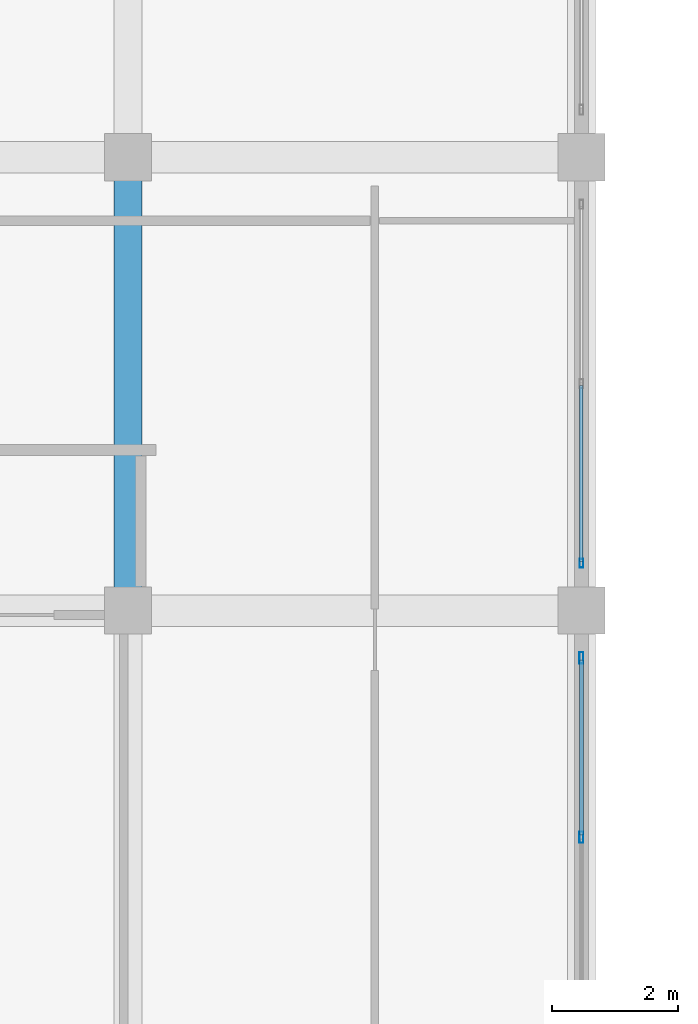
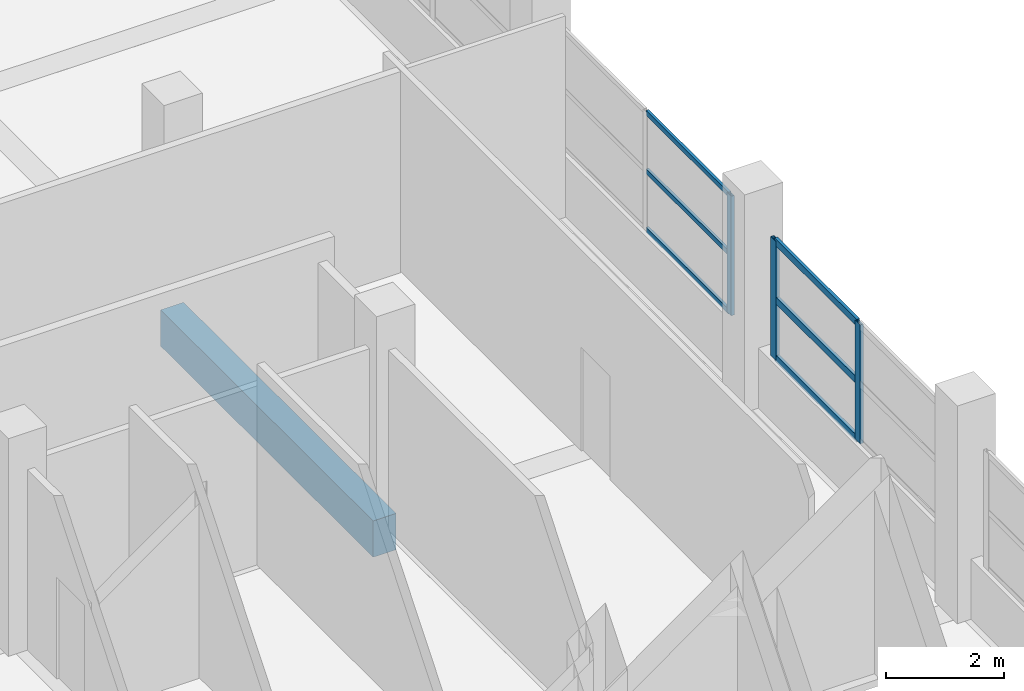
# One storey, part 22 of 141: 9 members, 1 beam, 2 elements without a shape of their own.
"""IFC4 building model written with IfcOpenShell, lengths in metres."""

from ifc_helpers import new_model, si_unit, direction, frame, origin, origin_2d, place, context, subcontext, project, spatial, rectangle, hollow_rectangle, extrude, material, layer, layer_set, material_profile, profile_set, type_object, element, aggregate, save


model = new_model("IFC4")

# Units and contexts
model_context = context("Model", 3, precision=1e-05, world=origin(), true_north=direction((0.0, 1.0)))
body_context = subcontext(model_context, "Body", "Model", "MODEL_VIEW")
ifc_project = project(units=[si_unit("LENGTHUNIT", "METRE"), si_unit("AREAUNIT", "SQUARE_METRE"), si_unit("VOLUMEUNIT", "CUBIC_METRE"), si_unit("PLANEANGLEUNIT", "RADIAN"), si_unit("MASSUNIT", "GRAM", prefix="KILO")], contexts=[model_context])

# Site, building, storey
site_placement = place(None, origin())
site = spatial("IfcSite", under=ifc_project, at=site_placement, CompositionType="ELEMENT")
building_placement = place(site_placement, origin())
building = spatial("IfcBuilding", under=site, at=building_placement, Name="Seraya Terrace Polytechnic", CompositionType="ELEMENT")
storey_placement = place(building_placement, frame((0.0, 0.0, 14.39990234375)))
storey = spatial("IfcBuildingStorey", under=building, at=storey_placement, Name="L03", CompositionType="ELEMENT", Elevation=14.39990234375)

# Beam
ifc_material_1 = material(Name="Concrete C40/50", Category="concrete")
ifc_material_profile_1 = material_profile(ifc_material_1, rectangle(XDim=0.449951171875, YDim=0.75, at=origin_2d()), Name="RC 450x750")
ifc_profile_set_1 = profile_set([ifc_material_profile_1], Name="Concrete C40/50")
beam_type = type_object("IfcBeamType", Name="BM-08", PredefinedType="BEAM", material=ifc_profile_set_1)
beam_placement = place(storey_placement, frame((36.0, 50.39990234375, -0.375), z_axis=(0.0, 1.0, 0.0), x_axis=(-1.0, 0.0, 0.0)))
element("IfcBeam", 1, at=beam_placement, inside=storey, type_object=beam_type, Name="Beam BM-08 L03 Y (36.0, 50.4..57.6)", PredefinedType="BEAM", context=body_context, shape_type="SweptSolid", body=[
    extrude(rectangle(XDim=0.449951171875, YDim=0.75, at=origin_2d()), origin(), (0.0, 0.0, 1.0), 7.2001953125),
])

# Curtain wall, members
ifc_material_2 = material(Name="Anodised aluminium EN AW-6063 T6", Category="aluminium")
ifc_layer_1 = layer(ifc_material_2, 0.179931640625, Name="CW-04")
ifc_layer_set_1 = layer_set([ifc_layer_1], Name="Anodised aluminium EN AW-6063 T6")
curtain_wall_type_1 = type_object("IfcCurtainWallType", Name="CW-04", PredefinedType="NOTDEFINED", material=ifc_layer_set_1)
curtain_wall_1_placement = place(storey_placement, origin())
curtain_wall_1 = element("IfcCurtainWall", 2, at=curtain_wall_1_placement, inside=storey, type_object=curtain_wall_type_1, Name="Unitised curtain wall CW-04 (CW-L03-148)", PredefinedType="NOTDEFINED")
ifc_material_profile_2 = material_profile(ifc_material_2, hollow_rectangle(XDim=0.06494140625, YDim=0.179931640625, WallThickness=0.00390625, at=origin_2d()), Name="RHS 180x65x4.0")
ifc_profile_set_2 = profile_set([ifc_material_profile_2], Name="Anodised aluminium EN AW-6063 T6")
member_type_1 = type_object("IfcMemberType", Name="CWM-01", PredefinedType="MULLION", material=ifc_profile_set_2)
member_1_placement = place(storey_placement, frame((43.199951171875, 49.6474609375, 1.239990234375), z_axis=(0.0, 0.0, 1.0), x_axis=(1.0, 0.0, 0.0)))
member_1 = element("IfcMember", 3, at=member_1_placement, type_object=member_type_1, Name="CW-04 mullion 1", PredefinedType="MULLION", context=body_context, shape_type="SweptSolid", body=[
    extrude(hollow_rectangle(XDim=0.06494140625, YDim=0.179931640625, WallThickness=0.00390625, at=origin_2d()), origin(), (0.0, 0.0, 1.0), 2.460205078125),
])
member_2_placement = place(storey_placement, frame((43.199951171875, 46.800048828125, 1.239990234375), z_axis=(0.0, 0.0, 1.0), x_axis=(1.0, 0.0, 0.0)))
member_2 = element("IfcMember", 4, at=member_2_placement, type_object=member_type_1, Name="CW-04 mullion 2", PredefinedType="MULLION", context=body_context, shape_type="SweptSolid", body=[
    extrude(hollow_rectangle(XDim=0.06494140625, YDim=0.179931640625, WallThickness=0.00390625, at=origin_2d()), origin(), (0.0, 0.0, 1.0), 2.460205078125),
])

# Curtain wall, member
ifc_layer_2 = layer(ifc_material_2, 0.179931640625, Name="CW-03")
ifc_layer_set_2 = layer_set([ifc_layer_2], Name="Anodised aluminium EN AW-6063 T6")
curtain_wall_type_2 = type_object("IfcCurtainWallType", Name="CW-03", PredefinedType="NOTDEFINED", material=ifc_layer_set_2)
curtain_wall_2_placement = place(storey_placement, origin())
curtain_wall_2 = element("IfcCurtainWall", 5, at=curtain_wall_2_placement, inside=storey, type_object=curtain_wall_type_2, Name="Unitised curtain wall CW-03 (CW-L03-147)", PredefinedType="NOTDEFINED")
ifc_material_profile_3 = material_profile(ifc_material_2, hollow_rectangle(XDim=0.06005859375, YDim=0.139892578125, WallThickness=0.00341796875, at=origin_2d()), Name="RHS 140x60x3.5")
ifc_profile_set_3 = profile_set([ifc_material_profile_3], Name="Anodised aluminium EN AW-6063 T6")
member_type_2 = type_object("IfcMemberType", Name="CWM-03", PredefinedType="MULLION", material=ifc_profile_set_3)
member_3_placement = place(storey_placement, frame((43.199951171875, 51.14990234375, 1.239990234375), z_axis=(0.0, 0.0, 1.0), x_axis=(1.0, 0.0, 0.0)))
member_3 = element("IfcMember", 6, at=member_3_placement, type_object=member_type_2, Name="CW-03 mullion 3", PredefinedType="MULLION", context=body_context, shape_type="SweptSolid", body=[
    extrude(hollow_rectangle(XDim=0.06005859375, YDim=0.139892578125, WallThickness=0.00341796875, at=origin_2d()), origin(), (0.0, 0.0, 1.0), 2.47021484375),
])

# Member
ifc_material_profile_4 = material_profile(ifc_material_2, hollow_rectangle(XDim=0.06005859375, YDim=0.139892578125, WallThickness=0.00341796875, at=origin_2d()), Name="RHS 140x60x3.5")
ifc_profile_set_4 = profile_set([ifc_material_profile_4], Name="Anodised aluminium EN AW-6063 T6")
member_type_3 = type_object("IfcMemberType", Name="CWT-01", PredefinedType="USERDEFINED", material=ifc_profile_set_4)
member_4_placement = place(storey_placement, frame((43.199951171875, 49.614990234375, 1.27001953125), z_axis=(0.0, -1.0, 0.0), x_axis=(1.0, 0.0, 0.0)))
member_4 = element("IfcMember", 7, at=member_4_placement, type_object=member_type_3, Name="CW-04 transom 1.1", ObjectType="TRANSOM", PredefinedType="USERDEFINED", context=body_context, shape_type="SweptSolid", body=[
    extrude(hollow_rectangle(XDim=0.06005859375, YDim=0.139892578125, WallThickness=0.00341796875, at=origin_2d()), origin(), (0.0, 0.0, 1.0), 2.782470703125),
])

member_5_placement = place(storey_placement, frame((43.199951171875, 49.614990234375, 2.47021484375), z_axis=(0.0, -1.0, 0.0), x_axis=(1.0, 0.0, 0.0)))
member_5 = element("IfcMember", 8, at=member_5_placement, type_object=member_type_3, Name="CW-04 transom 1.2", ObjectType="TRANSOM", PredefinedType="USERDEFINED", context=body_context, shape_type="SweptSolid", body=[
    extrude(hollow_rectangle(XDim=0.06005859375, YDim=0.139892578125, WallThickness=0.00341796875, at=origin_2d()), origin(), (0.0, 0.0, 1.0), 2.782470703125),
])

member_6_placement = place(storey_placement, frame((43.199951171875, 49.614990234375, 3.670166015625), z_axis=(0.0, -1.0, 0.0), x_axis=(1.0, 0.0, 0.0)))
member_6 = element("IfcMember", 9, at=member_6_placement, type_object=member_type_3, Name="CW-04 transom 1.3", ObjectType="TRANSOM", PredefinedType="USERDEFINED", context=body_context, shape_type="SweptSolid", body=[
    extrude(hollow_rectangle(XDim=0.06005859375, YDim=0.139892578125, WallThickness=0.00341796875, at=origin_2d()), origin(), (0.0, 0.0, 1.0), 2.782470703125),
])

aggregate(curtain_wall_1, [member_1, member_2, member_4, member_5, member_6])

ifc_material_profile_5 = material_profile(ifc_material_2, hollow_rectangle(XDim=0.054931640625, YDim=0.10009765625, WallThickness=0.0029296875, at=origin_2d()), Name="RHS 100x55x3.0")
ifc_profile_set_5 = profile_set([ifc_material_profile_5], Name="Anodised aluminium EN AW-6063 T6")
member_type_4 = type_object("IfcMemberType", Name="CWT-03", PredefinedType="USERDEFINED", material=ifc_profile_set_5)
member_7_placement = place(storey_placement, frame((43.199951171875, 53.969970703125, 1.267578125), z_axis=(0.0, -1.0, 0.0), x_axis=(1.0, 0.0, 0.0)))
member_7 = element("IfcMember", 10, at=member_7_placement, type_object=member_type_4, Name="CW-03 transom 2.1", ObjectType="TRANSOM", PredefinedType="USERDEFINED", context=body_context, shape_type="SweptSolid", body=[
    extrude(hollow_rectangle(XDim=0.054931640625, YDim=0.10009765625, WallThickness=0.0029296875, at=origin_2d()), origin(), (0.0, 0.0, 1.0), 2.7900390625),
])

member_8_placement = place(storey_placement, frame((43.199951171875, 53.969970703125, 2.47509765625), z_axis=(0.0, -1.0, 0.0), x_axis=(1.0, 0.0, 0.0)))
member_8 = element("IfcMember", 11, at=member_8_placement, type_object=member_type_4, Name="CW-03 transom 2.2", ObjectType="TRANSOM", PredefinedType="USERDEFINED", context=body_context, shape_type="SweptSolid", body=[
    extrude(hollow_rectangle(XDim=0.054931640625, YDim=0.10009765625, WallThickness=0.0029296875, at=origin_2d()), origin(), (0.0, 0.0, 1.0), 2.7900390625),
])

member_9_placement = place(storey_placement, frame((43.199951171875, 53.969970703125, 3.6826171875), z_axis=(0.0, -1.0, 0.0), x_axis=(1.0, 0.0, 0.0)))
member_9 = element("IfcMember", 12, at=member_9_placement, type_object=member_type_4, Name="CW-03 transom 2.3", ObjectType="TRANSOM", PredefinedType="USERDEFINED", context=body_context, shape_type="SweptSolid", body=[
    extrude(hollow_rectangle(XDim=0.054931640625, YDim=0.10009765625, WallThickness=0.0029296875, at=origin_2d()), origin(), (0.0, 0.0, 1.0), 2.7900390625),
])

aggregate(curtain_wall_2, [member_3, member_7, member_8, member_9])

save(model, "model.ifc")
